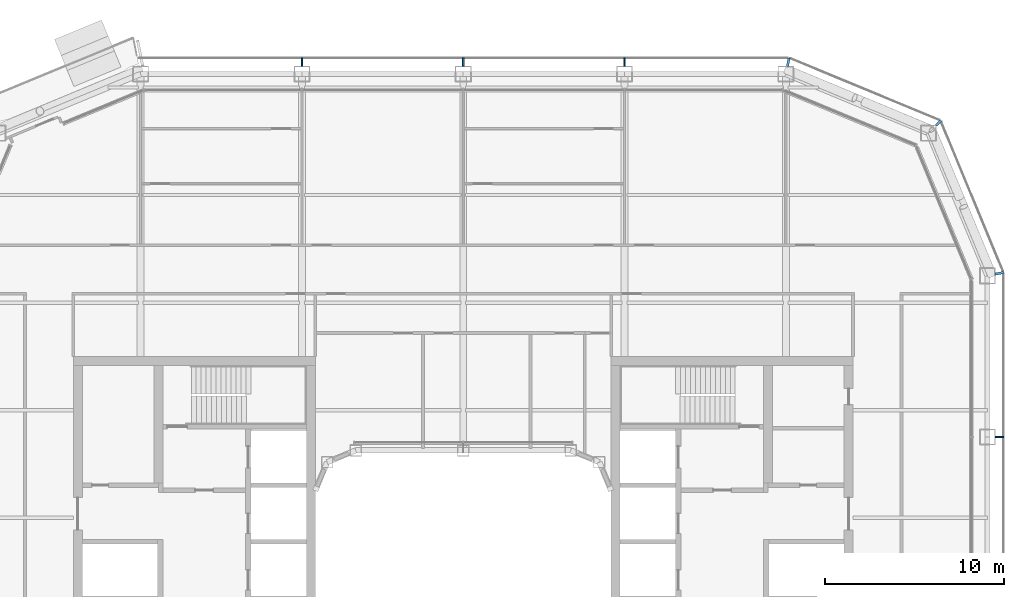
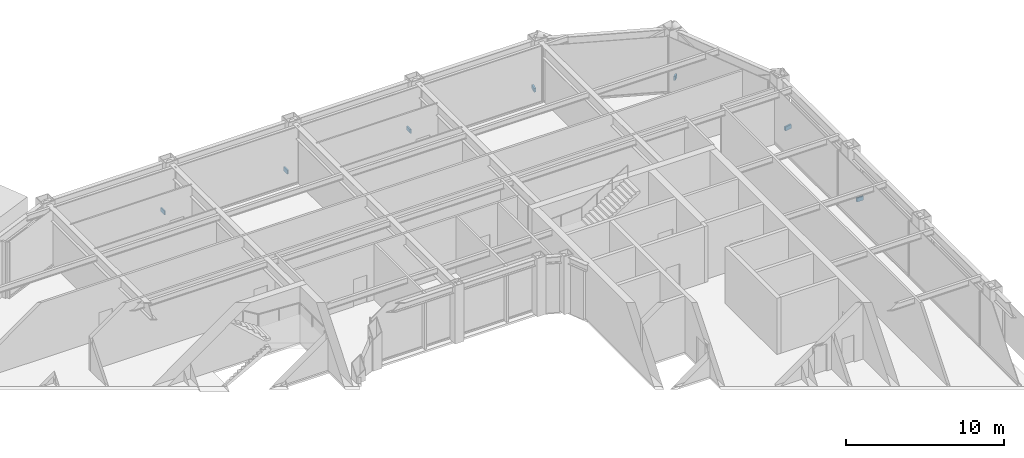
# One storey, part 17 of 23: 7 discrete accessories.
"""IFC4 building model written with IfcOpenShell, lengths in metres."""

from ifc_helpers import new_model, si_unit, direction, frame, origin, origin_2d, place, context, subcontext, project, spatial, rectangle, extrude, material, type_object, element, save


model = new_model("IFC4")

# Units and contexts
model_context = context("Model", 3, precision=1e-05, world=origin(), true_north=direction((0.0, 1.0)))
body_context = subcontext(model_context, "Body", "Model", "MODEL_VIEW")
ifc_project = project(units=[si_unit("LENGTHUNIT", "METRE"), si_unit("AREAUNIT", "SQUARE_METRE"), si_unit("VOLUMEUNIT", "CUBIC_METRE"), si_unit("PLANEANGLEUNIT", "RADIAN"), si_unit("MASSUNIT", "GRAM", prefix="KILO")], contexts=[model_context])

# Site, building, storey
site_placement = place(None, origin())
site = spatial("IfcSite", under=ifc_project, at=site_placement, CompositionType="ELEMENT")
building_placement = place(site_placement, origin())
building = spatial("IfcBuilding", under=site, at=building_placement, Name="Siwar Civic Tower", CompositionType="ELEMENT")
storey_placement = place(building_placement, frame((0.0, 0.0, 154.199951171875)))
storey = spatial("IfcBuildingStorey", under=building, at=storey_placement, Name="L33", CompositionType="ELEMENT", Elevation=154.199951171875)

# Discrete accessories
ifc_material = material(Name="Stainless steel 316", Category="steel")
discrete_accessory_type = type_object("IfcDiscreteAccessoryType", Name="ENV-BRACKET", PredefinedType="BRACKET", material=ifc_material)
for number, where, z_axis, x_axis, name in (
    (1, (29.9150390625, 9.0, -0.14990234375), (0.0, 0.0, 1.0), (1.0, 0.0, 0.0), "Bracket outer skin joint E-03"),
    (2, (9.0, 29.9150390625, -0.14990234375), (0.0, 0.0, 1.0), (0.0, 1.0, 0.0), "Bracket outer skin joint N-01"),
    (3, (0.0, 29.9150390625, -0.14990234375), (0.0, 0.0, 1.0), (0.0, 1.0, 0.0), "Bracket outer skin joint N-02"),
    (4, (-9.0, 29.9150390625, -0.14990234375), (0.0, 0.0, 1.0), (0.0, 1.0, 0.0), "Bracket outer skin joint N-03"),
):
    element("IfcDiscreteAccessory", number, at=place(storey_placement, frame(where, z_axis=z_axis, x_axis=x_axis)), inside=storey, type_object=discrete_accessory_type, Name=name, PredefinedType="BRACKET", context=body_context, shape_type="SweptSolid", body=[
        extrude(rectangle(XDim=0.469970703125, YDim=0.10009765625, at=origin_2d()), origin(), (0.0, 0.0, 1.0), 0.300048828125),
    ])
discrete_accessory_1_placement = place(storey_placement, frame((29.915283203125, 18.13232421875, -0.14990234375), z_axis=(0.0, 0.0, 1.0), x_axis=(0.980785280403, 0.195090322016, 0.0)))
element("IfcDiscreteAccessory", 5, at=discrete_accessory_1_placement, inside=storey, type_object=discrete_accessory_type, Name="Bracket outer skin joint V04", PredefinedType="BRACKET", context=body_context, shape_type="SweptSolid", body=[
    extrude(rectangle(XDim=0.478759765625, YDim=0.13720703125, at=origin_2d()), origin(), (0.0, 0.0, 1.0), 0.300048828125),
])
discrete_accessory_2_placement = place(storey_placement, frame((26.517333984375, 26.517333984375, -0.14990234375), z_axis=(0.0, 0.0, 1.0), x_axis=(0.707106781187, 0.707106781187, 0.0)))
element("IfcDiscreteAccessory", 6, at=discrete_accessory_2_placement, inside=storey, type_object=discrete_accessory_type, Name="Bracket outer skin joint V05", PredefinedType="BRACKET", context=body_context, shape_type="SweptSolid", body=[
    extrude(rectangle(XDim=0.357666015625, YDim=0.12939453125, at=origin_2d()), origin(), (0.0, 0.0, 1.0), 0.300048828125),
])
discrete_accessory_3_placement = place(storey_placement, frame((18.13232421875, 29.915283203125, -0.14990234375), z_axis=(0.0, 0.0, 1.0), x_axis=(0.195090322016, 0.980785280403, 0.0)))
element("IfcDiscreteAccessory", 7, at=discrete_accessory_3_placement, inside=storey, type_object=discrete_accessory_type, Name="Bracket outer skin joint V06", PredefinedType="BRACKET", context=body_context, shape_type="SweptSolid", body=[
    extrude(rectangle(XDim=0.478759765625, YDim=0.13720703125, at=origin_2d()), origin(), (0.0, 0.0, 1.0), 0.300048828125),
])

save(model, "model.ifc")
